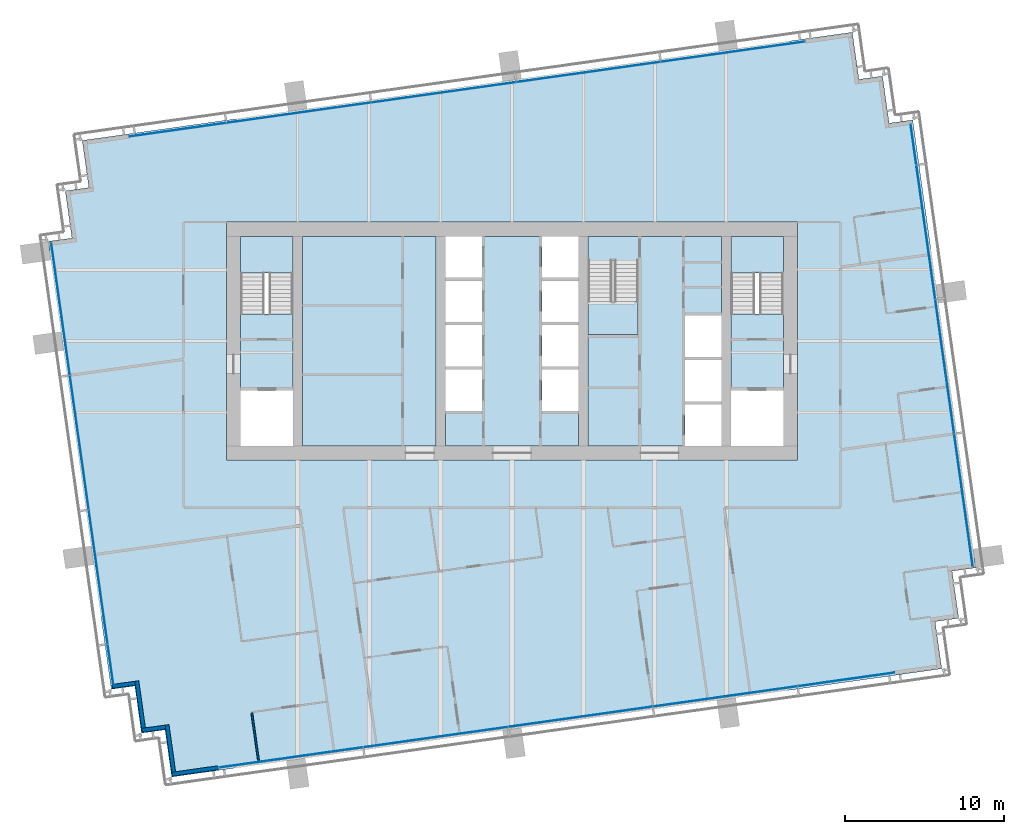
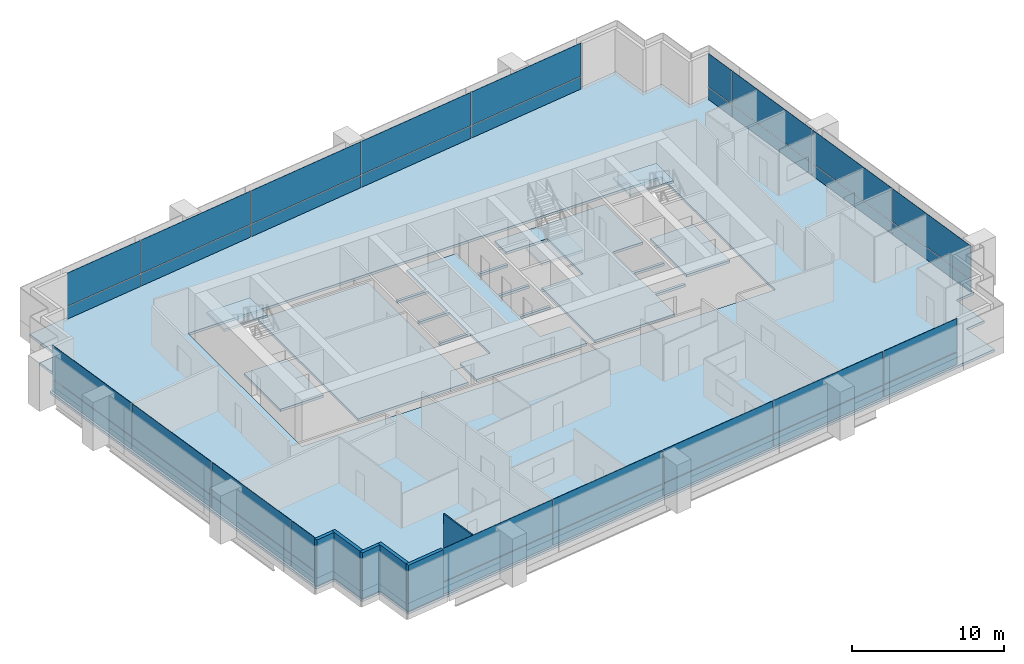
# One storey, part 8 of 18: 36 plates, 9 slabs, 6 walls, 7 elements without a shape of their own.
"""IFC4 building model written with IfcOpenShell, lengths in metres."""

from ifc_helpers import new_model, si_unit, direction, frame, frame_2d, origin, origin_2d, place, context, subcontext, project, spatial, polyline, rectangle, outline, extrude, material, layer, layer_set, type_object, element, aggregate, save


model = new_model("IFC4")

# Units and contexts
model_context = context("Model", 3, precision=1e-05, world=origin(), true_north=direction((0.0, 1.0)))
body_context = subcontext(model_context, "Body", "Model", "MODEL_VIEW")
ifc_project = project(units=[si_unit("LENGTHUNIT", "METRE"), si_unit("AREAUNIT", "SQUARE_METRE"), si_unit("VOLUMEUNIT", "CUBIC_METRE"), si_unit("PLANEANGLEUNIT", "RADIAN"), si_unit("MASSUNIT", "GRAM", prefix="KILO")], contexts=[model_context])

# Site, building, storey
site_placement = place(None, origin())
site = spatial("IfcSite", under=ifc_project, at=site_placement, CompositionType="ELEMENT")
building_placement = place(site_placement, origin())
building = spatial("IfcBuilding", under=site, at=building_placement, Name="Rattan Terrace Tower", CompositionType="ELEMENT")
storey_placement = place(building_placement, frame((0.0, 0.0, 188.0)))
storey = spatial("IfcBuildingStorey", under=building, at=storey_placement, Name="L43", CompositionType="ELEMENT", Elevation=188.0)

# Stair, slab
ifc_material_1 = material(Name="Concrete C40/50", Category="concrete")
stair_type = type_object("IfcStairType", Name="Core exit stair 1500", PredefinedType="HALF_TURN_STAIR", material=ifc_material_1)
stair_1_placement = place(storey_placement, origin())
stair_1 = element("IfcStair", 1, at=stair_1_placement, inside=storey, type_object=stair_type, Name="L43 exit stair 1", PredefinedType="HALF_TURN_STAIR")
ifc_material_2 = material(Name="Concrete C40/50", Category="concrete")
ifc_layer_1 = layer(ifc_material_2, 0.199951171875)
ifc_layer_set_1 = layer_set([ifc_layer_1], Name="Core exit stair landing")
slab_type_1 = type_object("IfcSlabType", Name="Core exit stair landing", PredefinedType="LANDING", material=ifc_layer_set_1)
slab_1_placement = place(storey_placement, frame((0.0, 0.0, 1.75)))
slab_1 = element("IfcSlab", 2, at=slab_1_placement, type_object=slab_type_1, Name="S1 landing 1", PredefinedType="LANDING", context=body_context, shape_type="SweptSolid", body=[
    extrude(outline(polyline([(-13.800048828125, 4.300048828125), (-13.800048828125, 6.60009765625), (-17.10009765625, 6.60009765625), (-17.10009765625, 4.300048828125), (-13.800048828125, 4.300048828125)])), origin(), (0.0, 0.0, 1.0), 0.199951171875),
])
aggregate(stair_1, [slab_1])

stair_2_placement = place(storey_placement, origin())
stair_2 = element("IfcStair", 3, at=stair_2_placement, inside=storey, type_object=stair_type, Name="L43 exit stair 2", PredefinedType="HALF_TURN_STAIR")
slab_2_placement = place(storey_placement, frame((0.0, 0.0, 1.75)))
slab_2 = element("IfcSlab", 4, at=slab_2_placement, type_object=slab_type_1, Name="S2 landing 1", PredefinedType="LANDING", context=body_context, shape_type="SweptSolid", body=[
    extrude(outline(polyline([(17.10009765625, 4.300048828125), (17.10009765625, 6.60009765625), (13.800048828125, 6.60009765625), (13.800048828125, 4.300048828125), (17.10009765625, 4.300048828125)])), origin(), (0.0, 0.0, 1.0), 0.199951171875),
])
aggregate(stair_2, [slab_2])

stair_3_placement = place(storey_placement, origin())
stair_3 = element("IfcStair", 5, at=stair_3_placement, inside=storey, type_object=stair_type, Name="L43 exit stair 3", PredefinedType="HALF_TURN_STAIR")
slab_3_placement = place(storey_placement, frame((0.0, 0.0, 1.75)))
slab_3 = element("IfcSlab", 6, at=slab_3_placement, type_object=slab_type_1, Name="S3 landing 1", PredefinedType="LANDING", context=body_context, shape_type="SweptSolid", body=[
    extrude(outline(polyline([(4.800048828125, 2.5), (4.800048828125, 0.39990234375), (7.949951171875, 0.39990234375), (7.949951171875, 2.5), (4.800048828125, 2.5)])), origin(), (0.0, 0.0, 1.0), 0.199951171875),
])
aggregate(stair_3, [slab_3])

# Curtain wall, plates
ifc_material_3 = material(Name="Aluminium and glass", Category="aluminium")
curtain_wall_type = type_object("IfcCurtainWallType", Name="Facade Unitised Curtain Wall", PredefinedType="NOTDEFINED", material=ifc_material_3)
curtain_wall_1_placement = place(storey_placement, origin())
curtain_wall_1 = element("IfcCurtainWall", 7, at=curtain_wall_1_placement, inside=storey, type_object=curtain_wall_type, Name="Curtain wall L43-1", PredefinedType="NOTDEFINED")
ifc_material_4 = material(Name="Aluminium insulated spandrel panel", Category="aluminium")
ifc_layer_2 = layer(ifc_material_4, 0.028076171875)
ifc_layer_set_2 = layer_set([ifc_layer_2], Name="Facade CW Spandrel Panel")
plate_type_1 = type_object("IfcPlateType", Name="Facade CW Spandrel Panel", PredefinedType="CURTAIN_PANEL", material=ifc_layer_set_2)
plate_1_placement = place(storey_placement, frame((28.447509765625, -10.037109375, 0.0), z_axis=(0.0, 0.0, 1.0), x_axis=(-0.139190856006, 0.99026557327, 0.0)))
plate_1 = element("IfcPlate", 8, at=plate_1_placement, type_object=plate_type_1, Name="Panel cwl-L43-001.1.1", PredefinedType="CURTAIN_PANEL", context=body_context, shape_type="SweptSolid", body=[
    extrude(rectangle(XDim=8.4150390625, YDim=0.028076171875, at=origin_2d()), origin(), (0.0, 0.0, 1.0), 0.969970703125),
])
plate_2_placement = place(storey_placement, frame((27.262451171875, -1.607421875, 0.0), z_axis=(0.0, 0.0, 1.0), x_axis=(-0.139190856006, 0.99026557327, 0.0)))
plate_2 = element("IfcPlate", 9, at=plate_2_placement, type_object=plate_type_1, Name="Panel cwl-L43-001.2.1", PredefinedType="CURTAIN_PANEL", context=body_context, shape_type="SweptSolid", body=[
    extrude(rectangle(XDim=8.489990234375, YDim=0.028076171875, at=origin_2d()), origin(), (0.0, 0.0, 1.0), 0.969970703125),
])
plate_3_placement = place(storey_placement, frame((26.072509765625, 6.859375, 0.0), z_axis=(0.0, 0.0, 1.0), x_axis=(-0.139190856006, 0.99026557327, 0.0)))
plate_3 = element("IfcPlate", 10, at=plate_3_placement, type_object=plate_type_1, Name="Panel cwl-L43-001.3.1", PredefinedType="CURTAIN_PANEL", context=body_context, shape_type="SweptSolid", body=[
    extrude(rectangle(XDim=8.489990234375, YDim=0.028076171875, at=origin_2d()), origin(), (0.0, 0.0, 1.0), 0.969970703125),
])
plate_4_placement = place(storey_placement, frame((25.29736328125, 12.372802734375, 0.0), z_axis=(0.0, 0.0, 1.0), x_axis=(-0.139190856006, 0.99026557327, 0.0)))
plate_4 = element("IfcPlate", 11, at=plate_4_placement, type_object=plate_type_1, Name="Panel cwl-L43-001.4.1", PredefinedType="CURTAIN_PANEL", context=body_context, shape_type="SweptSolid", body=[
    extrude(rectangle(XDim=2.525390625, YDim=0.028076171875, at=origin_2d()), origin(), (0.0, 0.0, 1.0), 0.969970703125),
])

curtain_wall_2_placement = place(storey_placement, origin())
curtain_wall_2 = element("IfcCurtainWall", 12, at=curtain_wall_2_placement, inside=storey, type_object=curtain_wall_type, Name="Curtain wall L43-2", PredefinedType="NOTDEFINED")
plate_5_placement = place(storey_placement, frame((13.920166015625, 18.233642578125, 0.0), z_axis=(0.0, 0.0, 1.0), x_axis=(-0.990269702686, -0.139161474347, 0.0)))
plate_5 = element("IfcPlate", 13, at=plate_5_placement, type_object=plate_type_1, Name="Panel cwl-L43-002.1.1", PredefinedType="CURTAIN_PANEL", context=body_context, shape_type="SweptSolid", body=[
    extrude(rectangle(XDim=9.123046875, YDim=0.028076171875, at=origin_2d()), origin(), (0.0, 0.0, 1.0), 0.969970703125),
])
plate_6_placement = place(storey_placement, frame((4.8115234375, 16.95361328125, 0.0), z_axis=(0.0, 0.0, 1.0), x_axis=(-0.990269702686, -0.139161474347, 0.0)))
plate_6 = element("IfcPlate", 14, at=plate_6_placement, type_object=plate_type_1, Name="Panel cwl-L43-002.2.1", PredefinedType="CURTAIN_PANEL", context=body_context, shape_type="SweptSolid", body=[
    extrude(rectangle(XDim=9.153076171875, YDim=0.028076171875, at=origin_2d()), origin(), (0.0, 0.0, 1.0), 0.969970703125),
])
plate_7_placement = place(storey_placement, frame((-4.311767578125, 15.67138671875, 0.0), z_axis=(0.0, 0.0, 1.0), x_axis=(-0.990269702686, -0.139161474347, 0.0)))
plate_7 = element("IfcPlate", 15, at=plate_7_placement, type_object=plate_type_1, Name="Panel cwl-L43-002.3.1", PredefinedType="CURTAIN_PANEL", context=body_context, shape_type="SweptSolid", body=[
    extrude(rectangle(XDim=9.153076171875, YDim=0.028076171875, at=origin_2d()), origin(), (0.0, 0.0, 1.0), 0.969970703125),
])
plate_8_placement = place(storey_placement, frame((-13.43505859375, 14.389404296875, 0.0), z_axis=(0.0, 0.0, 1.0), x_axis=(-0.990269702686, -0.139161474347, 0.0)))
plate_8 = element("IfcPlate", 16, at=plate_8_placement, type_object=plate_type_1, Name="Panel cwl-L43-002.4.1", PredefinedType="CURTAIN_PANEL", context=body_context, shape_type="SweptSolid", body=[
    extrude(rectangle(XDim=9.153076171875, YDim=0.028076171875, at=origin_2d()), origin(), (0.0, 0.0, 1.0), 0.969970703125),
])
plate_9_placement = place(storey_placement, frame((-21.055908203125, 13.318359375, 0.0), z_axis=(0.0, 0.0, 1.0), x_axis=(-0.990269702686, -0.139161474347, 0.0)))
plate_9 = element("IfcPlate", 17, at=plate_9_placement, type_object=plate_type_1, Name="Panel cwl-L43-002.5.1", PredefinedType="CURTAIN_PANEL", context=body_context, shape_type="SweptSolid", body=[
    extrude(rectangle(XDim=6.118408203125, YDim=0.028076171875, at=origin_2d()), origin(), (0.0, 0.0, 1.0), 0.969970703125),
])

curtain_wall_3_placement = place(storey_placement, origin())
curtain_wall_3 = element("IfcCurtainWall", 18, at=curtain_wall_3_placement, inside=storey, type_object=curtain_wall_type, Name="Curtain wall L43-3", PredefinedType="NOTDEFINED")
plate_10_placement = place(storey_placement, frame((-28.447509765625, 2.037109375, 0.0), z_axis=(0.0, 0.0, 1.0), x_axis=(0.139190856006, -0.99026557327, 0.0)))
plate_10 = element("IfcPlate", 19, at=plate_10_placement, type_object=plate_type_1, Name="Panel cwl-L43-003.1.1", PredefinedType="CURTAIN_PANEL", context=body_context, shape_type="SweptSolid", body=[
    extrude(rectangle(XDim=8.4150390625, YDim=0.028076171875, at=origin_2d()), origin(), (0.0, 0.0, 1.0), 0.969970703125),
])
plate_11_placement = place(storey_placement, frame((-27.262451171875, -6.392578125, 0.0), z_axis=(0.0, 0.0, 1.0), x_axis=(0.139190856006, -0.99026557327, 0.0)))
plate_11 = element("IfcPlate", 20, at=plate_11_placement, type_object=plate_type_1, Name="Panel cwl-L43-003.2.1", PredefinedType="CURTAIN_PANEL", context=body_context, shape_type="SweptSolid", body=[
    extrude(rectangle(XDim=8.489990234375, YDim=0.028076171875, at=origin_2d()), origin(), (0.0, 0.0, 1.0), 0.969970703125),
])
plate_12_placement = place(storey_placement, frame((-26.072509765625, -14.859375, 0.0), z_axis=(0.0, 0.0, 1.0), x_axis=(0.139190856006, -0.99026557327, 0.0)))
plate_12 = element("IfcPlate", 21, at=plate_12_placement, type_object=plate_type_1, Name="Panel cwl-L43-003.3.1", PredefinedType="CURTAIN_PANEL", context=body_context, shape_type="SweptSolid", body=[
    extrude(rectangle(XDim=8.489990234375, YDim=0.028076171875, at=origin_2d()), origin(), (0.0, 0.0, 1.0), 0.969970703125),
])
plate_13_placement = place(storey_placement, frame((-25.29736328125, -20.372802734375, 0.0), z_axis=(0.0, 0.0, 1.0), x_axis=(0.139190856006, -0.99026557327, 0.0)))
plate_13 = element("IfcPlate", 22, at=plate_13_placement, type_object=plate_type_1, Name="Panel cwl-L43-003.4.1", PredefinedType="CURTAIN_PANEL", context=body_context, shape_type="SweptSolid", body=[
    extrude(rectangle(XDim=2.525390625, YDim=0.028076171875, at=origin_2d()), origin(), (0.0, 0.0, 1.0), 0.969970703125),
])

curtain_wall_4_placement = place(storey_placement, origin())
curtain_wall_4 = element("IfcCurtainWall", 23, at=curtain_wall_4_placement, inside=storey, type_object=curtain_wall_type, Name="Curtain wall L43-4", PredefinedType="NOTDEFINED")
plate_14_placement = place(storey_placement, frame((-13.920166015625, -26.233642578125, 0.0), z_axis=(0.0, 0.0, 1.0), x_axis=(0.990269702686, 0.139161474347, 0.0)))
plate_14 = element("IfcPlate", 24, at=plate_14_placement, type_object=plate_type_1, Name="Panel cwl-L43-004.1.1", PredefinedType="CURTAIN_PANEL", context=body_context, shape_type="SweptSolid", body=[
    extrude(rectangle(XDim=9.123046875, YDim=0.028076171875, at=origin_2d()), origin(), (0.0, 0.0, 1.0), 0.969970703125),
])
plate_15_placement = place(storey_placement, frame((-4.8115234375, -24.95361328125, 0.0), z_axis=(0.0, 0.0, 1.0), x_axis=(0.990269702686, 0.139161474347, 0.0)))
plate_15 = element("IfcPlate", 25, at=plate_15_placement, type_object=plate_type_1, Name="Panel cwl-L43-004.2.1", PredefinedType="CURTAIN_PANEL", context=body_context, shape_type="SweptSolid", body=[
    extrude(rectangle(XDim=9.153076171875, YDim=0.028076171875, at=origin_2d()), origin(), (0.0, 0.0, 1.0), 0.969970703125),
])
plate_16_placement = place(storey_placement, frame((4.311767578125, -23.67138671875, 0.0), z_axis=(0.0, 0.0, 1.0), x_axis=(0.990269702686, 0.139161474347, 0.0)))
plate_16 = element("IfcPlate", 26, at=plate_16_placement, type_object=plate_type_1, Name="Panel cwl-L43-004.3.1", PredefinedType="CURTAIN_PANEL", context=body_context, shape_type="SweptSolid", body=[
    extrude(rectangle(XDim=9.153076171875, YDim=0.028076171875, at=origin_2d()), origin(), (0.0, 0.0, 1.0), 0.969970703125),
])
plate_17_placement = place(storey_placement, frame((13.43505859375, -22.389404296875, 0.0), z_axis=(0.0, 0.0, 1.0), x_axis=(0.990269702686, 0.139161474347, 0.0)))
plate_17 = element("IfcPlate", 27, at=plate_17_placement, type_object=plate_type_1, Name="Panel cwl-L43-004.4.1", PredefinedType="CURTAIN_PANEL", context=body_context, shape_type="SweptSolid", body=[
    extrude(rectangle(XDim=9.153076171875, YDim=0.028076171875, at=origin_2d()), origin(), (0.0, 0.0, 1.0), 0.969970703125),
])
plate_18_placement = place(storey_placement, frame((21.055908203125, -21.318359375, 0.0), z_axis=(0.0, 0.0, 1.0), x_axis=(0.990269702686, 0.139161474347, 0.0)))
plate_18 = element("IfcPlate", 28, at=plate_18_placement, type_object=plate_type_1, Name="Panel cwl-L43-004.5.1", PredefinedType="CURTAIN_PANEL", context=body_context, shape_type="SweptSolid", body=[
    extrude(rectangle(XDim=6.118408203125, YDim=0.028076171875, at=origin_2d()), origin(), (0.0, 0.0, 1.0), 0.969970703125),
])

# Plate
ifc_material_5 = material(Name="Clear low-iron glass", Category="glass")
ifc_layer_3 = layer(ifc_material_5, 0.028076171875)
ifc_layer_set_3 = layer_set([ifc_layer_3], Name="Facade CW Vision Panel")
plate_type_2 = type_object("IfcPlateType", Name="Facade CW Vision Panel", PredefinedType="CURTAIN_PANEL", material=ifc_layer_set_3)
plate_19_placement = place(storey_placement, frame((28.447509765625, -10.037109375, 1.030029296875), z_axis=(0.0, 0.0, 1.0), x_axis=(-0.139190856006, 0.99026557327, 0.0)))
plate_19 = element("IfcPlate", 29, at=plate_19_placement, type_object=plate_type_2, Name="Panel cwl-L43-001.1.2", PredefinedType="CURTAIN_PANEL", context=body_context, shape_type="SweptSolid", body=[
    extrude(rectangle(XDim=8.4150390625, YDim=0.028076171875, at=origin_2d()), origin(), (0.0, 0.0, 1.0), 2.669921875),
])

plate_20_placement = place(storey_placement, frame((27.262451171875, -1.607421875, 1.030029296875), z_axis=(0.0, 0.0, 1.0), x_axis=(-0.139190856006, 0.99026557327, 0.0)))
plate_20 = element("IfcPlate", 30, at=plate_20_placement, type_object=plate_type_2, Name="Panel cwl-L43-001.2.2", PredefinedType="CURTAIN_PANEL", context=body_context, shape_type="SweptSolid", body=[
    extrude(rectangle(XDim=8.489990234375, YDim=0.028076171875, at=origin_2d()), origin(), (0.0, 0.0, 1.0), 2.669921875),
])

plate_21_placement = place(storey_placement, frame((26.072509765625, 6.859375, 1.030029296875), z_axis=(0.0, 0.0, 1.0), x_axis=(-0.139190856006, 0.99026557327, 0.0)))
plate_21 = element("IfcPlate", 31, at=plate_21_placement, type_object=plate_type_2, Name="Panel cwl-L43-001.3.2", PredefinedType="CURTAIN_PANEL", context=body_context, shape_type="SweptSolid", body=[
    extrude(rectangle(XDim=8.489990234375, YDim=0.028076171875, at=origin_2d()), origin(), (0.0, 0.0, 1.0), 2.669921875),
])

plate_22_placement = place(storey_placement, frame((25.29736328125, 12.372802734375, 1.030029296875), z_axis=(0.0, 0.0, 1.0), x_axis=(-0.139190856006, 0.99026557327, 0.0)))
plate_22 = element("IfcPlate", 32, at=plate_22_placement, type_object=plate_type_2, Name="Panel cwl-L43-001.4.2", PredefinedType="CURTAIN_PANEL", context=body_context, shape_type="SweptSolid", body=[
    extrude(rectangle(XDim=2.525390625, YDim=0.028076171875, at=origin_2d()), origin(), (0.0, 0.0, 1.0), 2.669921875),
])

aggregate(curtain_wall_1, [plate_1, plate_19, plate_2, plate_20, plate_3, plate_21, plate_4, plate_22])

plate_23_placement = place(storey_placement, frame((13.920166015625, 18.233642578125, 1.030029296875), z_axis=(0.0, 0.0, 1.0), x_axis=(-0.990269702686, -0.139161474347, 0.0)))
plate_23 = element("IfcPlate", 33, at=plate_23_placement, type_object=plate_type_2, Name="Panel cwl-L43-002.1.2", PredefinedType="CURTAIN_PANEL", context=body_context, shape_type="SweptSolid", body=[
    extrude(rectangle(XDim=9.123046875, YDim=0.028076171875, at=origin_2d()), origin(), (0.0, 0.0, 1.0), 2.669921875),
])

plate_24_placement = place(storey_placement, frame((4.8115234375, 16.95361328125, 1.030029296875), z_axis=(0.0, 0.0, 1.0), x_axis=(-0.990269702686, -0.139161474347, 0.0)))
plate_24 = element("IfcPlate", 34, at=plate_24_placement, type_object=plate_type_2, Name="Panel cwl-L43-002.2.2", PredefinedType="CURTAIN_PANEL", context=body_context, shape_type="SweptSolid", body=[
    extrude(rectangle(XDim=9.153076171875, YDim=0.028076171875, at=origin_2d()), origin(), (0.0, 0.0, 1.0), 2.669921875),
])

plate_25_placement = place(storey_placement, frame((-4.311767578125, 15.67138671875, 1.030029296875), z_axis=(0.0, 0.0, 1.0), x_axis=(-0.990269702686, -0.139161474347, 0.0)))
plate_25 = element("IfcPlate", 35, at=plate_25_placement, type_object=plate_type_2, Name="Panel cwl-L43-002.3.2", PredefinedType="CURTAIN_PANEL", context=body_context, shape_type="SweptSolid", body=[
    extrude(rectangle(XDim=9.153076171875, YDim=0.028076171875, at=origin_2d()), origin(), (0.0, 0.0, 1.0), 2.669921875),
])

plate_26_placement = place(storey_placement, frame((-13.43505859375, 14.389404296875, 1.030029296875), z_axis=(0.0, 0.0, 1.0), x_axis=(-0.990269702686, -0.139161474347, 0.0)))
plate_26 = element("IfcPlate", 36, at=plate_26_placement, type_object=plate_type_2, Name="Panel cwl-L43-002.4.2", PredefinedType="CURTAIN_PANEL", context=body_context, shape_type="SweptSolid", body=[
    extrude(rectangle(XDim=9.153076171875, YDim=0.028076171875, at=origin_2d()), origin(), (0.0, 0.0, 1.0), 2.669921875),
])

plate_27_placement = place(storey_placement, frame((-21.055908203125, 13.318359375, 1.030029296875), z_axis=(0.0, 0.0, 1.0), x_axis=(-0.990269702686, -0.139161474347, 0.0)))
plate_27 = element("IfcPlate", 37, at=plate_27_placement, type_object=plate_type_2, Name="Panel cwl-L43-002.5.2", PredefinedType="CURTAIN_PANEL", context=body_context, shape_type="SweptSolid", body=[
    extrude(rectangle(XDim=6.118408203125, YDim=0.028076171875, at=origin_2d()), origin(), (0.0, 0.0, 1.0), 2.669921875),
])

aggregate(curtain_wall_2, [plate_5, plate_23, plate_6, plate_24, plate_7, plate_25, plate_8, plate_26, plate_9, plate_27])

plate_28_placement = place(storey_placement, frame((-28.447509765625, 2.037109375, 1.030029296875), z_axis=(0.0, 0.0, 1.0), x_axis=(0.139190856006, -0.99026557327, 0.0)))
plate_28 = element("IfcPlate", 38, at=plate_28_placement, type_object=plate_type_2, Name="Panel cwl-L43-003.1.2", PredefinedType="CURTAIN_PANEL", context=body_context, shape_type="SweptSolid", body=[
    extrude(rectangle(XDim=8.4150390625, YDim=0.028076171875, at=origin_2d()), origin(), (0.0, 0.0, 1.0), 2.669921875),
])

plate_29_placement = place(storey_placement, frame((-27.262451171875, -6.392578125, 1.030029296875), z_axis=(0.0, 0.0, 1.0), x_axis=(0.139190856006, -0.99026557327, 0.0)))
plate_29 = element("IfcPlate", 39, at=plate_29_placement, type_object=plate_type_2, Name="Panel cwl-L43-003.2.2", PredefinedType="CURTAIN_PANEL", context=body_context, shape_type="SweptSolid", body=[
    extrude(rectangle(XDim=8.489990234375, YDim=0.028076171875, at=origin_2d()), origin(), (0.0, 0.0, 1.0), 2.669921875),
])

plate_30_placement = place(storey_placement, frame((-26.072509765625, -14.859375, 1.030029296875), z_axis=(0.0, 0.0, 1.0), x_axis=(0.139190856006, -0.99026557327, 0.0)))
plate_30 = element("IfcPlate", 40, at=plate_30_placement, type_object=plate_type_2, Name="Panel cwl-L43-003.3.2", PredefinedType="CURTAIN_PANEL", context=body_context, shape_type="SweptSolid", body=[
    extrude(rectangle(XDim=8.489990234375, YDim=0.028076171875, at=origin_2d()), origin(), (0.0, 0.0, 1.0), 2.669921875),
])

plate_31_placement = place(storey_placement, frame((-25.29736328125, -20.372802734375, 1.030029296875), z_axis=(0.0, 0.0, 1.0), x_axis=(0.139190856006, -0.99026557327, 0.0)))
plate_31 = element("IfcPlate", 41, at=plate_31_placement, type_object=plate_type_2, Name="Panel cwl-L43-003.4.2", PredefinedType="CURTAIN_PANEL", context=body_context, shape_type="SweptSolid", body=[
    extrude(rectangle(XDim=2.525390625, YDim=0.028076171875, at=origin_2d()), origin(), (0.0, 0.0, 1.0), 2.669921875),
])

aggregate(curtain_wall_3, [plate_10, plate_28, plate_11, plate_29, plate_12, plate_30, plate_13, plate_31])

plate_32_placement = place(storey_placement, frame((-13.920166015625, -26.233642578125, 1.030029296875), z_axis=(0.0, 0.0, 1.0), x_axis=(0.990269702686, 0.139161474347, 0.0)))
plate_32 = element("IfcPlate", 42, at=plate_32_placement, type_object=plate_type_2, Name="Panel cwl-L43-004.1.2", PredefinedType="CURTAIN_PANEL", context=body_context, shape_type="SweptSolid", body=[
    extrude(rectangle(XDim=9.123046875, YDim=0.028076171875, at=origin_2d()), origin(), (0.0, 0.0, 1.0), 2.669921875),
])

plate_33_placement = place(storey_placement, frame((-4.8115234375, -24.95361328125, 1.030029296875), z_axis=(0.0, 0.0, 1.0), x_axis=(0.990269702686, 0.139161474347, 0.0)))
plate_33 = element("IfcPlate", 43, at=plate_33_placement, type_object=plate_type_2, Name="Panel cwl-L43-004.2.2", PredefinedType="CURTAIN_PANEL", context=body_context, shape_type="SweptSolid", body=[
    extrude(rectangle(XDim=9.153076171875, YDim=0.028076171875, at=origin_2d()), origin(), (0.0, 0.0, 1.0), 2.669921875),
])

plate_34_placement = place(storey_placement, frame((4.311767578125, -23.67138671875, 1.030029296875), z_axis=(0.0, 0.0, 1.0), x_axis=(0.990269702686, 0.139161474347, 0.0)))
plate_34 = element("IfcPlate", 44, at=plate_34_placement, type_object=plate_type_2, Name="Panel cwl-L43-004.3.2", PredefinedType="CURTAIN_PANEL", context=body_context, shape_type="SweptSolid", body=[
    extrude(rectangle(XDim=9.153076171875, YDim=0.028076171875, at=origin_2d()), origin(), (0.0, 0.0, 1.0), 2.669921875),
])

plate_35_placement = place(storey_placement, frame((13.43505859375, -22.389404296875, 1.030029296875), z_axis=(0.0, 0.0, 1.0), x_axis=(0.990269702686, 0.139161474347, 0.0)))
plate_35 = element("IfcPlate", 45, at=plate_35_placement, type_object=plate_type_2, Name="Panel cwl-L43-004.4.2", PredefinedType="CURTAIN_PANEL", context=body_context, shape_type="SweptSolid", body=[
    extrude(rectangle(XDim=9.153076171875, YDim=0.028076171875, at=origin_2d()), origin(), (0.0, 0.0, 1.0), 2.669921875),
])

plate_36_placement = place(storey_placement, frame((21.055908203125, -21.318359375, 1.030029296875), z_axis=(0.0, 0.0, 1.0), x_axis=(0.990269702686, 0.139161474347, 0.0)))
plate_36 = element("IfcPlate", 46, at=plate_36_placement, type_object=plate_type_2, Name="Panel cwl-L43-004.5.2", PredefinedType="CURTAIN_PANEL", context=body_context, shape_type="SweptSolid", body=[
    extrude(rectangle(XDim=6.118408203125, YDim=0.028076171875, at=origin_2d()), origin(), (0.0, 0.0, 1.0), 2.669921875),
])

aggregate(curtain_wall_4, [plate_14, plate_32, plate_15, plate_33, plate_16, plate_34, plate_17, plate_35, plate_18, plate_36])

# Slabs
ifc_material_6 = material(Name="Concrete C35/45", Category="concrete")
ifc_layer_4 = layer(ifc_material_6, 0.199951171875)
ifc_layer_set_4 = layer_set([ifc_layer_4], Name="Frame composite floor slab 200")
slab_type_2 = type_object("IfcSlabType", Name="Frame composite floor slab 200", PredefinedType="FLOOR", material=ifc_layer_set_4)
slab_4_placement = place(storey_placement, frame((0.0, 0.0, -0.199951171875)))
element("IfcSlab", 47, at=slab_4_placement, inside=storey, type_object=slab_type_2, Name="Floor slab", PredefinedType="FLOOR", context=body_context, shape_type="SweptSolid", body=[
    extrude(outline(polyline([(-18.472900390625, -27.044921875), (24.10888671875, -21.06103515625), (27.080078125, -20.64306640625), (26.662109375, -17.672119140625), (28.14794921875, -17.464111328125), (27.72998046875, -14.492919921875), (29.216064453125, -14.283935546875), (25.2490234375, 13.93896484375), (23.763916015625, 13.72998046875), (23.345947265625, 16.700927734375), (21.861083984375, 16.491943359375), (21.443115234375, 19.462890625), (18.472900390625, 19.044921875), (-24.10888671875, 13.06103515625), (-27.080078125, 12.64306640625), (-26.662109375, 9.672119140625), (-28.14794921875, 9.464111328125), (-27.72998046875, 6.492919921875), (-29.216064453125, 6.283935546875), (-25.2490234375, -21.93896484375), (-23.763916015625, -21.72998046875), (-23.345947265625, -24.700927734375), (-21.861083984375, -24.491943359375), (-21.443115234375, -27.462890625), (-18.472900390625, -27.044921875)]), holes=[polyline([(-18.0, -7.5), (18.0, -7.5), (18.0, -6.60009765625), (18.0, 6.60009765625), (18.0, 7.5), (-18.0, 7.5), (-18.0, 6.60009765625), (-18.0, -6.60009765625), (-18.0, -7.5)])]), origin(), (0.0, 0.0, 1.0), 0.199951171875),
])
slab_5_placement = place(storey_placement, frame((0.0, 0.0, -0.199951171875)))
element("IfcSlab", 48, at=slab_5_placement, inside=storey, type_object=slab_type_2, Name="Floor slab", PredefinedType="FLOOR", context=body_context, shape_type="SweptSolid", body=[
    extrude(outline(polyline([(13.199951171875, 6.60009765625), (4.800048828125, 6.60009765625), (4.800048828125, 5.090087890625), (7.949951171875, 5.090087890625), (7.949951171875, 0.39990234375), (4.800048828125, 0.39990234375), (4.800048828125, -6.60009765625), (10.89990234375, -6.60009765625), (10.89990234375, -4.0), (13.199951171875, -4.0), (13.199951171875, -3.800048828125), (10.89990234375, -3.800048828125), (10.89990234375, -1.199951171875), (13.199951171875, -1.199951171875), (13.199951171875, -1.0), (10.89990234375, -1.0), (10.89990234375, 1.60009765625), (13.199951171875, 1.60009765625), (13.199951171875, 6.60009765625)])), origin(), (0.0, 0.0, 1.0), 0.199951171875),
])
slab_6_placement = place(storey_placement, frame((0.0, 0.0, -0.199951171875)))
element("IfcSlab", 49, at=slab_6_placement, inside=storey, type_object=slab_type_2, Name="Floor slab", PredefinedType="FLOOR", context=body_context, shape_type="SweptSolid", body=[
    extrude(outline(polyline([(1.89990234375, 6.60009765625), (-1.89990234375, 6.60009765625), (-1.89990234375, 4.0), (-4.199951171875, 4.0), (-4.199951171875, 3.800048828125), (-1.89990234375, 3.800048828125), (-1.89990234375, 1.199951171875), (-4.199951171875, 1.199951171875), (-4.199951171875, 1.0), (-1.89990234375, 1.0), (-1.89990234375, -1.60009765625), (-4.199951171875, -1.60009765625), (-4.199951171875, -1.800048828125), (-1.89990234375, -1.800048828125), (-1.89990234375, -4.39990234375), (-4.199951171875, -4.39990234375), (-4.199951171875, -6.60009765625), (4.199951171875, -6.60009765625), (4.199951171875, -4.39990234375), (1.89990234375, -4.39990234375), (1.89990234375, -1.800048828125), (4.199951171875, -1.800048828125), (4.199951171875, -1.60009765625), (1.89990234375, -1.60009765625), (1.89990234375, 1.0), (4.199951171875, 1.0), (4.199951171875, 1.199951171875), (1.89990234375, 1.199951171875), (1.89990234375, 3.800048828125), (4.199951171875, 3.800048828125), (4.199951171875, 4.0), (1.89990234375, 4.0), (1.89990234375, 6.60009765625)])), origin(), (0.0, 0.0, 1.0), 0.199951171875),
])
slab_7_placement = place(storey_placement, frame((0.0, 0.0, -0.199951171875)))
element("IfcSlab", 50, at=slab_7_placement, inside=storey, type_object=slab_type_2, Name="Floor slab", PredefinedType="FLOOR", context=body_context, shape_type="SweptSolid", body=[
    extrude(outline(polyline([(-17.10009765625, -3.10009765625), (-13.800048828125, -3.10009765625), (-13.800048828125, 1.7099609375), (-17.10009765625, 1.7099609375), (-17.10009765625, -3.10009765625)])), origin(), (0.0, 0.0, 1.0), 0.199951171875),
])
slab_8_placement = place(storey_placement, frame((0.0, 0.0, -0.199951171875)))
element("IfcSlab", 51, at=slab_8_placement, inside=storey, type_object=slab_type_2, Name="Floor slab", PredefinedType="FLOOR", context=body_context, shape_type="SweptSolid", body=[
    extrude(outline(polyline([(-4.800048828125, -6.60009765625), (-4.800048828125, 6.60009765625), (-13.199951171875, 6.60009765625), (-13.199951171875, -6.60009765625), (-4.800048828125, -6.60009765625)])), origin(), (0.0, 0.0, 1.0), 0.199951171875),
])
slab_9_placement = place(storey_placement, frame((0.0, 0.0, -0.199951171875)))
element("IfcSlab", 52, at=slab_9_placement, inside=storey, type_object=slab_type_2, Name="Floor slab", PredefinedType="FLOOR", context=body_context, shape_type="SweptSolid", body=[
    extrude(outline(polyline([(13.800048828125, -3.10009765625), (17.10009765625, -3.10009765625), (17.10009765625, 1.7099609375), (13.800048828125, 1.7099609375), (13.800048828125, -3.10009765625)])), origin(), (0.0, 0.0, 1.0), 0.199951171875),
])

# Walls
ifc_material_7 = material(Name="Insulated aluminium-clad stud wall", Category="aluminium")
ifc_layer_5 = layer(ifc_material_7, 0.25)
ifc_layer_set_5 = layer_set([ifc_layer_5], Name="Facade Riser Wall 250")
wall_type_1 = type_object("IfcWallType", Name="Facade Riser Wall 250", PredefinedType="SOLIDWALL", material=ifc_layer_set_5)
wall_1_placement = place(storey_placement, frame((-25.18359375, -21.758056640625, 0.0), z_axis=(0.0, 0.0, 1.0), x_axis=(0.9902493448, 0.13930626376, 0.0)))
element("IfcWall", 53, at=wall_1_placement, inside=storey, type_object=wall_type_1, Name="Riser wall L43-16", PredefinedType="SOLIDWALL", context=body_context, shape_type="SweptSolid", body=[
    extrude(rectangle(XDim=1.45458984375, YDim=0.25, at=frame_2d((0.727294921875, 0.0))), origin(), (0.0, 0.0, 1.0), 3.699951171875),
])
wall_2_placement = place(storey_placement, frame((-23.63671875, -21.414306640625, 0.0), z_axis=(0.0, 0.0, 1.0), x_axis=(0.139313431826, -0.990248336385, 0.0)))
element("IfcWall", 54, at=wall_2_placement, inside=storey, type_object=wall_type_1, Name="Riser wall L43-17", PredefinedType="SOLIDWALL", context=body_context, shape_type="SweptSolid", body=[
    extrude(rectangle(XDim=3.000244140625, YDim=0.25, at=frame_2d((1.5, 0.0))), origin(), (0.0, 0.0, 1.0), 3.699951171875),
])
wall_3_placement = place(storey_placement, frame((-23.3251953125, -24.5263671875, 0.0), z_axis=(0.0, 0.0, 1.0), x_axis=(0.990243596651, 0.13934711799, 0.0)))
element("IfcWall", 55, at=wall_3_placement, inside=storey, type_object=wall_type_1, Name="Riser wall L43-18", PredefinedType="SOLIDWALL", context=body_context, shape_type="SweptSolid", body=[
    extrude(rectangle(XDim=1.499755859375, YDim=0.25, at=frame_2d((0.75, 0.0))), origin(), (0.0, 0.0, 1.0), 3.699951171875),
])
wall_4_placement = place(storey_placement, frame((-21.733642578125, -24.17626953125, 0.0), z_axis=(0.0, 0.0, 1.0), x_axis=(0.139313431826, -0.990248336385, 0.0)))
element("IfcWall", 56, at=wall_4_placement, inside=storey, type_object=wall_type_1, Name="Riser wall L43-19", PredefinedType="SOLIDWALL", context=body_context, shape_type="SweptSolid", body=[
    extrude(rectangle(XDim=3.000244140625, YDim=0.25, at=frame_2d((1.5, 0.0))), origin(), (0.0, 0.0, 1.0), 3.699951171875),
])
wall_5_placement = place(storey_placement, frame((-21.422119140625, -27.288330078125, 0.0), z_axis=(0.0, 0.0, 1.0), x_axis=(0.990246427036, 0.139327002919, 0.0)))
element("IfcWall", 57, at=wall_5_placement, inside=storey, type_object=wall_type_1, Name="Riser wall L43-20", PredefinedType="SOLIDWALL", context=body_context, shape_type="SweptSolid", body=[
    extrude(rectangle(XDim=2.954345703125, YDim=0.25, at=frame_2d((1.47705078125, 0.0))), origin(), (0.0, 0.0, 1.0), 3.699951171875),
])
ifc_material_8 = material(Name="Gypsum board partition on steel studs", Category="steel")
ifc_layer_6 = layer(ifc_material_8, 0.10009765625)
ifc_layer_set_6 = layer_set([ifc_layer_6], Name="Floors Partition 100")
wall_type_2 = type_object("IfcWallType", Name="Floors Partition 100", PredefinedType="PARTITIONING", material=ifc_layer_set_6)
wall_6_placement = place(storey_placement, frame((-16.39404296875, -23.430908203125, 0.0), z_axis=(0.0, 0.0, 1.0), x_axis=(0.139333854614, -0.990245462983, 0.0)))
element("IfcWall", 58, at=wall_6_placement, inside=storey, type_object=wall_type_2, Name="pt-L43-025", PredefinedType="PARTITIONING", context=body_context, shape_type="SweptSolid", body=[
    extrude(rectangle(XDim=3.029541015625, YDim=0.10009765625, at=frame_2d((1.5146484375, 0.0))), origin(), (0.0, 0.0, 1.0), 3.699951171875),
])

save(model, "model.ifc")
